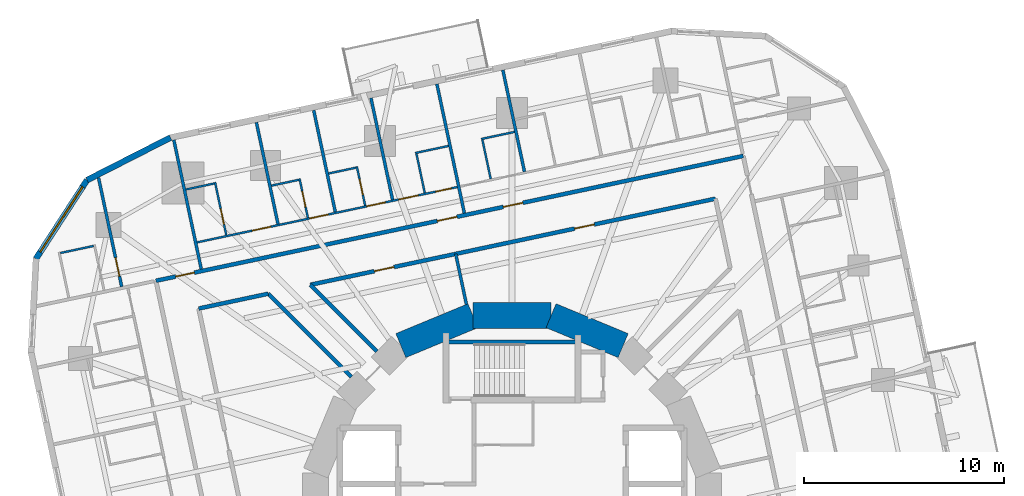
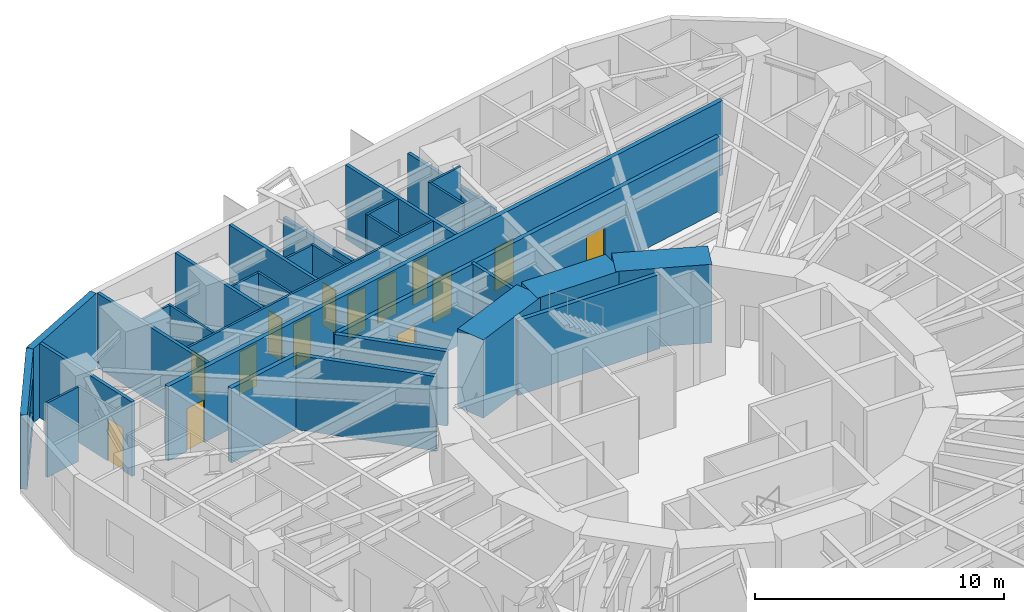
# One storey, part 10 of 14: 31 walls, 14 doors, 1 window, 15 openings.
"""IFC4 building model written with IfcOpenShell, lengths in metres."""

from ifc_helpers import new_model, si_unit, direction, frame, frame_2d, origin, place, context, subcontext, project, spatial, rectangle, extrude, material, layer, layer_set, type_object, element, fill, save


model = new_model("IFC4")

# Units and contexts
model_context = context("Model", 3, precision=1e-05, world=origin(), true_north=direction((0.0, 1.0)))
body_context = subcontext(model_context, "Body", "Model", "MODEL_VIEW")
ifc_project = project(units=[si_unit("LENGTHUNIT", "METRE"), si_unit("AREAUNIT", "SQUARE_METRE"), si_unit("VOLUMEUNIT", "CUBIC_METRE"), si_unit("PLANEANGLEUNIT", "RADIAN"), si_unit("MASSUNIT", "GRAM", prefix="KILO")], contexts=[model_context])

# Site, building, storey
site_placement = place(None, origin())
site = spatial("IfcSite", under=ifc_project, at=site_placement, CompositionType="ELEMENT")
building_placement = place(site_placement, origin())
building = spatial("IfcBuilding", under=site, at=building_placement, Name="Nakasero Lantern House", CompositionType="ELEMENT")
storey_placement = place(building_placement, frame((0.0, 0.0, 105.0)))
storey = spatial("IfcBuildingStorey", under=building, at=storey_placement, Name="L25", CompositionType="ELEMENT", Elevation=105.0)

# Wall, openings, doors
ifc_material_1 = material(Name="Blockwork", Category="masonry")
ifc_layer_1 = layer(ifc_material_1, 0.10009765625)
ifc_layer_set_1 = layer_set([ifc_layer_1], Name="Cluster hall wall 100")
wall_type_1 = type_object("IfcWallType", Name="Cluster hall wall 100", PredefinedType="PARTITIONING", material=ifc_layer_set_1)
wall_1_placement = place(storey_placement, frame((-2.734375, 16.236328125, 0.0), z_axis=(0.0, 0.0, 1.0), x_axis=(-0.978145215443, -0.207922912411, 0.0)))
wall_1 = element("IfcWall", 1, at=wall_1_placement, inside=storey, type_object=wall_type_1, Name="Cluster hall wall L25 HW1-1", PredefinedType="PARTITIONING", context=body_context, shape_type="SweptSolid", body=[
    extrude(rectangle(XDim=13.28955078125, YDim=0.10009765625, at=frame_2d((6.644775390625, 0.0))), origin(), (0.0, 0.0, 1.0), 3.64990234375),
])
opening_1_placement = place(wall_1_placement, frame((1.99365234375, 0.0, 0.0)))
opening_1 = element("IfcOpeningElement", 2, at=opening_1_placement, cuts=wall_1, Name="Opening D03", PredefinedType="OPENING", context=body_context, shape_type="SweptSolid", body=[
    extrude(rectangle(XDim=1.0, YDim=2.10009765625, at=frame_2d((0.5, 1.050048828125))), frame((0.0, 0.070068359375, 0.0), z_axis=(0.0, -1.0, 0.0), x_axis=(1.0, 0.0, 0.0)), (0.0, 0.0, 1.0), 0.14013671875),
])
opening_2_placement = place(wall_1_placement, frame((0.300048828125, 0.0, 0.0)))
opening_2 = element("IfcOpeningElement", 3, at=opening_2_placement, cuts=wall_1, Name="Opening D02", PredefinedType="OPENING", context=body_context, shape_type="SweptSolid", body=[
    extrude(rectangle(XDim=0.800048828125, YDim=2.10009765625, at=frame_2d((0.39990234375, 1.050048828125))), frame((0.0, 0.070068359375, 0.0), z_axis=(0.0, -1.0, 0.0), x_axis=(1.0, 0.0, 0.0)), (0.0, 0.0, 1.0), 0.14013671875),
])
opening_3_placement = place(wall_1_placement, frame((3.668701171875, 0.0, 0.0)))
opening_3 = element("IfcOpeningElement", 4, at=opening_3_placement, cuts=wall_1, Name="Opening D01", PredefinedType="OPENING", context=body_context, shape_type="SweptSolid", body=[
    extrude(rectangle(XDim=0.949951171875, YDim=2.10009765625, at=frame_2d((0.47509765625, 1.050048828125))), frame((0.0, 0.070068359375, 0.0), z_axis=(0.0, -1.0, 0.0), x_axis=(1.0, 0.0, 0.0)), (0.0, 0.0, 1.0), 0.14013671875),
])
opening_4_placement = place(wall_1_placement, frame((6.594970703125, 0.0, 0.0)))
opening_4 = element("IfcOpeningElement", 5, at=opening_4_placement, cuts=wall_1, Name="Opening D01", PredefinedType="OPENING", context=body_context, shape_type="SweptSolid", body=[
    extrude(rectangle(XDim=0.949951171875, YDim=2.10009765625, at=frame_2d((0.47509765625, 1.050048828125))), frame((0.0, 0.070068359375, 0.0), z_axis=(0.0, -1.0, 0.0), x_axis=(1.0, 0.0, 0.0)), (0.0, 0.0, 1.0), 0.14013671875),
])
opening_5_placement = place(wall_1_placement, frame((9.521484375, 0.0, 0.0)))
opening_5 = element("IfcOpeningElement", 6, at=opening_5_placement, cuts=wall_1, Name="Opening D01", PredefinedType="OPENING", context=body_context, shape_type="SweptSolid", body=[
    extrude(rectangle(XDim=0.949951171875, YDim=2.10009765625, at=frame_2d((0.47509765625, 1.050048828125))), frame((0.0, 0.070068359375, 0.0), z_axis=(0.0, -1.0, 0.0), x_axis=(1.0, 0.0, 0.0)), (0.0, 0.0, 1.0), 0.14013671875),
])
ifc_material_2 = material(Name="Timber C24", Category="wood")
door_type_1 = type_object("IfcDoorType", Name="Bedroom door FD30S 950", OperationType="SINGLE_SWING_LEFT", PredefinedType="DOOR", material=ifc_material_2)
door_1_placement = place(opening_3_placement, origin())
door_1 = element("IfcDoor", 7, at=door_1_placement, inside=storey, type_object=door_type_1, Name="Door L25 D1-05", OperationType="SINGLE_SWING_LEFT", OverallHeight=2.10009765625, OverallWidth=0.949951171875, PredefinedType="DOOR", context=body_context, shape_type="SweptSolid", body=[
    extrude(rectangle(XDim=0.949951171875, YDim=2.10009765625, at=frame_2d((0.47509765625, 1.050048828125))), frame((0.0, 0.02490234375, 0.0), z_axis=(0.0, -1.0, 0.0), x_axis=(1.0, 0.0, 0.0)), (0.0, 0.0, 1.0), 0.050048828125),
])
fill(opening_3, door_1)
door_2_placement = place(opening_4_placement, origin())
door_2 = element("IfcDoor", 8, at=door_2_placement, inside=storey, type_object=door_type_1, Name="Door L25 D1-06", OperationType="SINGLE_SWING_RIGHT", OverallHeight=2.10009765625, OverallWidth=0.949951171875, PredefinedType="DOOR", context=body_context, shape_type="SweptSolid", body=[
    extrude(rectangle(XDim=0.949951171875, YDim=2.10009765625, at=frame_2d((0.47509765625, 1.050048828125))), frame((0.0, 0.02490234375, 0.0), z_axis=(0.0, -1.0, 0.0), x_axis=(1.0, 0.0, 0.0)), (0.0, 0.0, 1.0), 0.050048828125),
])
fill(opening_4, door_2)
door_3_placement = place(opening_5_placement, origin())
door_3 = element("IfcDoor", 9, at=door_3_placement, inside=storey, type_object=door_type_1, Name="Door L25 D1-07", OperationType="SINGLE_SWING_RIGHT", OverallHeight=2.10009765625, OverallWidth=0.949951171875, PredefinedType="DOOR", context=body_context, shape_type="SweptSolid", body=[
    extrude(rectangle(XDim=0.949951171875, YDim=2.10009765625, at=frame_2d((0.47509765625, 1.050048828125))), frame((0.0, 0.02490234375, 0.0), z_axis=(0.0, -1.0, 0.0), x_axis=(1.0, 0.0, 0.0)), (0.0, 0.0, 1.0), 0.050048828125),
])
fill(opening_5, door_3)
ifc_material_3 = material(Name="Timber C24", Category="wood")
door_type_2 = type_object("IfcDoorType", Name="En-suite door 800", OperationType="SINGLE_SWING_RIGHT", PredefinedType="DOOR", material=ifc_material_3)
door_4_placement = place(opening_2_placement, origin())
door_4 = element("IfcDoor", 10, at=door_4_placement, inside=storey, type_object=door_type_2, Name="Door L25 DSH1-1", OperationType="SINGLE_SWING_LEFT", OverallHeight=2.10009765625, OverallWidth=0.800048828125, PredefinedType="DOOR", context=body_context, shape_type="SweptSolid", body=[
    extrude(rectangle(XDim=0.800048828125, YDim=2.10009765625, at=frame_2d((0.39990234375, 1.050048828125))), frame((0.0, 0.02490234375, 0.0), z_axis=(0.0, -1.0, 0.0), x_axis=(1.0, 0.0, 0.0)), (0.0, 0.0, 1.0), 0.050048828125),
])
fill(opening_2, door_4)
ifc_material_4 = material(Name="Timber C24", Category="wood")
door_type_3 = type_object("IfcDoorType", Name="Lounge door FD30S 1000", OperationType="SINGLE_SWING_LEFT", PredefinedType="DOOR", material=ifc_material_4)
door_5_placement = place(opening_1_placement, origin())
door_5 = element("IfcDoor", 11, at=door_5_placement, inside=storey, type_object=door_type_3, Name="Door L25 DH1-1", OperationType="SINGLE_SWING_LEFT", OverallHeight=2.10009765625, OverallWidth=1.0, PredefinedType="DOOR", context=body_context, shape_type="SweptSolid", body=[
    extrude(rectangle(XDim=1.0, YDim=2.10009765625, at=frame_2d((0.5, 1.050048828125))), frame((0.0, 0.02490234375, 0.0), z_axis=(0.0, -1.0, 0.0), x_axis=(1.0, 0.0, 0.0)), (0.0, 0.0, 1.0), 0.050048828125),
])
fill(opening_1, door_5)

# Walls
ifc_material_5 = material(Name="Concrete C50/60", Category="concrete")
ifc_layer_2 = layer(ifc_material_5, 1.300048828125)
ifc_layer_set_2 = layer_set([ifc_layer_2], Name="Core wall 1300")
wall_type_2 = type_object("IfcWallType", Name="Core wall 1300", PredefinedType="SHEAR", material=ifc_layer_set_2)
for number, where, z_axis, x_axis, name in (
    (12, (5.5556640625, 8.314697265625, 0.0), (0.0, 0.0, 1.0), (-0.923876507187, 0.382690736062, 0.0), "Core wall L25 facet 3"),
    (13, (1.950927734375, 9.807861328125, 0.0), (0.0, 0.0, 1.0), (-1.0, 0.0, 0.0), "Core wall L25 facet 4"),
    (14, (-1.950927734375, 9.807861328125, 0.0), (0.0, 0.0, 1.0), (-0.923876507187, -0.382690736062, 0.0), "Core wall L25 facet 5"),
):
    element("IfcWall", number, at=place(storey_placement, frame(where, z_axis=z_axis, x_axis=x_axis)), inside=storey, type_object=wall_type_2, Name=name, PredefinedType="SHEAR", context=body_context, shape_type="SweptSolid", body=[
        extrude(rectangle(XDim=3.90185546875, YDim=1.300048828125, at=frame_2d((1.950927734375, 0.0))), origin(), (0.0, 0.0, 1.0), 3.85009765625),
    ])

# Wall, openings, doors
ifc_material_6 = material(Name="Blockwork", Category="masonry")
ifc_layer_3 = layer(ifc_material_6, 0.199951171875)
ifc_layer_set_3 = layer_set([ifc_layer_3], Name="Corridor wall 200")
wall_type_3 = type_object("IfcWallType", Name="Corridor wall 200", PredefinedType="PARTITIONING", material=ifc_layer_set_3)
wall_2_placement = place(storey_placement, frame((11.553466796875, 17.790771484375, 0.0), z_axis=(0.0, 0.0, 1.0), x_axis=(-0.978147639417, -0.207911508826, 0.0)))
wall_2 = element("IfcWall", 15, at=wall_2_placement, inside=storey, type_object=wall_type_3, Name="Corridor wall L25 CW1", PredefinedType="PARTITIONING", context=body_context, shape_type="SweptSolid", body=[
    extrude(rectangle(XDim=29.999755859375, YDim=0.199951171875, at=frame_2d((15.0, 0.0))), origin(), (0.0, 0.0, 1.0), 3.64990234375),
])
opening_6_placement = place(wall_2_placement, frame((11.255126953125, 0.0, 0.0)))
opening_6 = element("IfcOpeningElement", 16, at=opening_6_placement, cuts=wall_2, Name="Opening D14", PredefinedType="OPENING", context=body_context, shape_type="SweptSolid", body=[
    extrude(rectangle(XDim=1.0, YDim=2.10009765625, at=frame_2d((0.5, 1.050048828125))), frame((0.0, 0.119873046875, 0.0), z_axis=(0.0, -1.0, 0.0), x_axis=(1.0, 0.0, 0.0)), (0.0, 0.0, 1.0), 0.239990234375),
])
opening_7_placement = place(wall_2_placement, frame((14.623779296875, 0.0, 0.0)))
opening_7 = element("IfcOpeningElement", 17, at=opening_7_placement, cuts=wall_2, Name="Opening D14", PredefinedType="OPENING", context=body_context, shape_type="SweptSolid", body=[
    extrude(rectangle(XDim=1.0, YDim=2.10009765625, at=frame_2d((0.5, 1.050048828125))), frame((0.0, 0.119873046875, 0.0), z_axis=(0.0, -1.0, 0.0), x_axis=(1.0, 0.0, 0.0)), (0.0, 0.0, 1.0), 0.239990234375),
])
opening_8_placement = place(wall_2_placement, frame((28.038330078125, 0.0, 0.0)))
opening_8 = element("IfcOpeningElement", 18, at=opening_8_placement, cuts=wall_2, Name="Opening D01", PredefinedType="OPENING", context=body_context, shape_type="SweptSolid", body=[
    extrude(rectangle(XDim=0.949951171875, YDim=2.10009765625, at=frame_2d((0.47509765625, 1.050048828125))), frame((0.0, 0.119873046875, 0.0), z_axis=(0.0, -1.0, 0.0), x_axis=(1.0, 0.0, 0.0)), (0.0, 0.0, 1.0), 0.239990234375),
])
door_6_placement = place(opening_8_placement, origin())
door_6 = element("IfcDoor", 19, at=door_6_placement, inside=storey, type_object=door_type_1, Name="Door L25 D1-08", OperationType="SINGLE_SWING_RIGHT", OverallHeight=2.10009765625, OverallWidth=0.949951171875, PredefinedType="DOOR", context=body_context, shape_type="SweptSolid", body=[
    extrude(rectangle(XDim=0.949951171875, YDim=2.10009765625, at=frame_2d((0.47509765625, 1.050048828125))), frame((0.0, 0.02490234375, 0.0), z_axis=(0.0, -1.0, 0.0), x_axis=(1.0, 0.0, 0.0)), (0.0, 0.0, 1.0), 0.050048828125),
])
fill(opening_8, door_6)
ifc_material_7 = material(Name="Timber C24", Category="wood")
door_type_4 = type_object("IfcDoorType", Name="Cluster entrance door FD30S 1000", OperationType="SINGLE_SWING_LEFT", PredefinedType="DOOR", material=ifc_material_7)
door_7_placement = place(opening_6_placement, origin())
door_7 = element("IfcDoor", 20, at=door_7_placement, inside=storey, type_object=door_type_4, Name="Door L25 DF1-0", OperationType="SINGLE_SWING_LEFT", OverallHeight=2.10009765625, OverallWidth=1.0, PredefinedType="DOOR", context=body_context, shape_type="SweptSolid", body=[
    extrude(rectangle(XDim=1.0, YDim=2.10009765625, at=frame_2d((0.5, 1.050048828125))), frame((0.0, 0.02490234375, 0.0), z_axis=(0.0, -1.0, 0.0), x_axis=(1.0, 0.0, 0.0)), (0.0, 0.0, 1.0), 0.050048828125),
])
fill(opening_6, door_7)
door_8_placement = place(opening_7_placement, origin())
door_8 = element("IfcDoor", 21, at=door_8_placement, inside=storey, type_object=door_type_4, Name="Door L25 DF1-1", OperationType="SINGLE_SWING_RIGHT", OverallHeight=2.10009765625, OverallWidth=1.0, PredefinedType="DOOR", context=body_context, shape_type="SweptSolid", body=[
    extrude(rectangle(XDim=1.0, YDim=2.10009765625, at=frame_2d((0.5, 1.050048828125))), frame((0.0, 0.02490234375, 0.0), z_axis=(0.0, -1.0, 0.0), x_axis=(1.0, 0.0, 0.0)), (0.0, 0.0, 1.0), 0.050048828125),
])
fill(opening_7, door_8)

wall_3_placement = place(storey_placement, frame((10.1669921875, 15.656005859375, 0.0), z_axis=(0.0, 0.0, 1.0), x_axis=(-0.978145959178, -0.207919413582, 0.0)))
wall_3 = element("IfcWall", 22, at=wall_3_placement, inside=storey, type_object=wall_type_3, Name="Corridor wall L25 IW1-0", PredefinedType="PARTITIONING", context=body_context, shape_type="SweptSolid", body=[
    extrude(rectangle(XDim=20.698974609375, YDim=0.199951171875, at=frame_2d((10.349609375, 0.0))), origin(), (0.0, 0.0, 1.0), 3.64990234375),
])
opening_9_placement = place(wall_3_placement, frame((6.197509765625, 0.0, 0.0)))
opening_9 = element("IfcOpeningElement", 23, at=opening_9_placement, cuts=wall_3, Name="Opening D07", PredefinedType="OPENING", context=body_context, shape_type="SweptSolid", body=[
    extrude(rectangle(XDim=1.0, YDim=2.10009765625, at=frame_2d((0.5, 1.050048828125))), frame((0.0, 0.119873046875, 0.0), z_axis=(0.0, -1.0, 0.0), x_axis=(1.0, 0.0, 0.0)), (0.0, 0.0, 1.0), 0.239990234375),
])
opening_10_placement = place(wall_3_placement, frame((16.422119140625, 0.0, 0.0)))
opening_10 = element("IfcOpeningElement", 24, at=opening_10_placement, cuts=wall_3, Name="Opening D07", PredefinedType="OPENING", context=body_context, shape_type="SweptSolid", body=[
    extrude(rectangle(XDim=1.0, YDim=2.10009765625, at=frame_2d((0.5, 1.050048828125))), frame((0.0, 0.119873046875, 0.0), z_axis=(0.0, -1.0, 0.0), x_axis=(1.0, 0.0, 0.0)), (0.0, 0.0, 1.0), 0.239990234375),
])
ifc_material_8 = material(Name="Timber C24", Category="wood")
door_type_5 = type_object("IfcDoorType", Name="Room door FD30S 1000", OperationType="SINGLE_SWING_LEFT", PredefinedType="DOOR", material=ifc_material_8)
door_9_placement = place(opening_9_placement, origin())
door_9 = element("IfcDoor", 25, at=door_9_placement, inside=storey, type_object=door_type_5, Name="Door L25 DI5", OperationType="SINGLE_SWING_LEFT", OverallHeight=2.10009765625, OverallWidth=1.0, PredefinedType="DOOR", context=body_context, shape_type="SweptSolid", body=[
    extrude(rectangle(XDim=1.0, YDim=2.10009765625, at=frame_2d((0.5, 1.050048828125))), frame((0.0, 0.02490234375, 0.0), z_axis=(0.0, -1.0, 0.0), x_axis=(1.0, 0.0, 0.0)), (0.0, 0.0, 1.0), 0.050048828125),
])
fill(opening_9, door_9)
door_10_placement = place(opening_10_placement, origin())
door_10 = element("IfcDoor", 26, at=door_10_placement, inside=storey, type_object=door_type_5, Name="Door L25 DI6", OperationType="SINGLE_SWING_RIGHT", OverallHeight=2.10009765625, OverallWidth=1.0, PredefinedType="DOOR", context=body_context, shape_type="SweptSolid", body=[
    extrude(rectangle(XDim=1.0, YDim=2.10009765625, at=frame_2d((0.5, 1.050048828125))), frame((0.0, 0.02490234375, 0.0), z_axis=(0.0, -1.0, 0.0), x_axis=(1.0, 0.0, 0.0)), (0.0, 0.0, 1.0), 0.050048828125),
])
fill(opening_10, door_10)

# Walls
wall_4_placement = place(storey_placement, frame((-12.178955078125, 10.90625, 0.0), z_axis=(0.0, 0.0, 1.0), x_axis=(-0.978136852319, -0.207962251708, 0.0)))
element("IfcWall", 27, at=wall_4_placement, inside=storey, type_object=wall_type_3, Name="Corridor wall L25 IW1-1", PredefinedType="PARTITIONING", context=body_context, shape_type="SweptSolid", body=[
    extrude(rectangle(XDim=3.5546875, YDim=0.199951171875, at=frame_2d((1.77734375, 0.0))), origin(), (0.0, 0.0, 1.0), 3.64990234375),
])
wall_5_placement = place(storey_placement, frame((-8.03125, 6.758544921875, 0.0), z_axis=(0.0, 0.0, 1.0), x_axis=(-0.707106781187, 0.707106781187, 0.0)))
element("IfcWall", 28, at=wall_5_placement, inside=storey, type_object=wall_type_3, Name="Corridor wall L25 PS06a", PredefinedType="PARTITIONING", context=body_context, shape_type="SweptSolid", body=[
    extrude(rectangle(XDim=5.86572265625, YDim=0.199951171875, at=frame_2d((2.932861328125, 0.0))), origin(), (0.0, 0.0, 1.0), 3.64990234375),
])
wall_6_placement = place(storey_placement, frame((-6.758544921875, 8.03125, 0.0), z_axis=(0.0, 0.0, 1.0), x_axis=(-0.707106781187, 0.707106781187, 0.0)))
element("IfcWall", 29, at=wall_6_placement, inside=storey, type_object=wall_type_3, Name="Corridor wall L25 PS06b", PredefinedType="PARTITIONING", context=body_context, shape_type="SweptSolid", body=[
    extrude(rectangle(XDim=4.69677734375, YDim=0.199951171875, at=frame_2d((2.348388671875, 0.0))), origin(), (0.0, 0.0, 1.0), 3.64990234375),
])
ifc_material_9 = material(Name="Blockwork", Category="masonry")
ifc_layer_4 = layer(ifc_material_9, 0.10009765625)
ifc_layer_set_4 = layer_set([ifc_layer_4], Name="En-suite wall 100")
wall_type_4 = type_object("IfcWallType", Name="En-suite wall 100", PredefinedType="PARTITIONING", material=ifc_layer_set_4)
wall_7_placement = place(storey_placement, frame((-1.0634765625, 16.642578125, 0.0), z_axis=(0.0, 0.0, 1.0), x_axis=(-0.207972763311, 0.978134617382, 0.0)))
element("IfcWall", 30, at=wall_7_placement, inside=storey, type_object=wall_type_4, Name="En-suite wall L25 SS1-0", PredefinedType="PARTITIONING", context=body_context, shape_type="SweptSolid", body=[
    extrude(rectangle(XDim=2.10009765625, YDim=0.10009765625, at=frame_2d((1.050048828125, 0.0))), origin(), (0.0, 0.0, 1.0), 3.64990234375),
])
wall_8_placement = place(storey_placement, frame((0.124267578125, 18.99072265625, 0.0), z_axis=(0.0, 0.0, 1.0), x_axis=(-0.978168704767, -0.207812379357, 0.0)))
element("IfcWall", 31, at=wall_8_placement, inside=storey, type_object=wall_type_4, Name="En-suite wall L25 SE1-0", PredefinedType="PARTITIONING", context=body_context, shape_type="SweptSolid", body=[
    extrude(rectangle(XDim=1.699951171875, YDim=0.10009765625, at=frame_2d((0.85009765625, 0.0))), origin(), (0.0, 0.0, 1.0), 3.64990234375),
])
wall_9_placement = place(storey_placement, frame((-4.358642578125, 15.942138671875, 0.0), z_axis=(0.0, 0.0, 1.0), x_axis=(-0.207861536591, 0.97815826, 0.0)))
element("IfcWall", 32, at=wall_9_placement, inside=storey, type_object=wall_type_4, Name="En-suite wall L25 SS1-1", PredefinedType="PARTITIONING", context=body_context, shape_type="SweptSolid", body=[
    extrude(rectangle(XDim=2.10009765625, YDim=0.10009765625, at=frame_2d((1.050048828125, 0.0))), origin(), (0.0, 0.0, 1.0), 3.64990234375),
])
wall_10_placement = place(storey_placement, frame((-3.1708984375, 18.29052734375, 0.0), z_axis=(0.0, 0.0, 1.0), x_axis=(-0.97813950236, -0.207949787024, 0.0)))
element("IfcWall", 33, at=wall_10_placement, inside=storey, type_object=wall_type_4, Name="En-suite wall L25 SE1-1", PredefinedType="PARTITIONING", context=body_context, shape_type="SweptSolid", body=[
    extrude(rectangle(XDim=1.699951171875, YDim=0.10009765625, at=frame_2d((0.85009765625, 0.0))), origin(), (0.0, 0.0, 1.0), 3.64990234375),
])

# Wall, opening, door
wall_11_placement = place(storey_placement, frame((-7.337158203125, 15.30908203125, 0.0), z_axis=(0.0, 0.0, 1.0), x_axis=(-0.207886494942, 0.978152955943, 0.0)))
wall_11 = element("IfcWall", 34, at=wall_11_placement, inside=storey, type_object=wall_type_4, Name="En-suite wall L25 ES1-05", PredefinedType="PARTITIONING", context=body_context, shape_type="SweptSolid", body=[
    extrude(rectangle(XDim=2.0, YDim=0.10009765625, at=frame_2d((1.0, 0.0))), origin(), (0.0, 0.0, 1.0), 3.64990234375),
])
opening_11_placement = place(wall_11_placement, frame((0.550048828125, 0.0, 0.0)))
opening_11 = element("IfcOpeningElement", 35, at=opening_11_placement, cuts=wall_11, Name="Opening D02", PredefinedType="OPENING", context=body_context, shape_type="SweptSolid", body=[
    extrude(rectangle(XDim=0.800048828125, YDim=2.10009765625, at=frame_2d((0.39990234375, 1.050048828125))), frame((0.0, 0.070068359375, 0.0), z_axis=(0.0, -1.0, 0.0), x_axis=(1.0, 0.0, 0.0)), (0.0, 0.0, 1.0), 0.14013671875),
])
door_11_placement = place(opening_11_placement, origin())
door_11 = element("IfcDoor", 36, at=door_11_placement, inside=storey, type_object=door_type_2, Name="Door L25 DE1-05", OperationType="SINGLE_SWING_LEFT", OverallHeight=2.10009765625, OverallWidth=0.800048828125, PredefinedType="DOOR", context=body_context, shape_type="SweptSolid", body=[
    extrude(rectangle(XDim=0.800048828125, YDim=2.10009765625, at=frame_2d((0.39990234375, 1.050048828125))), frame((0.0, 0.02490234375, 0.0), z_axis=(0.0, -1.0, 0.0), x_axis=(1.0, 0.0, 0.0)), (0.0, 0.0, 1.0), 0.050048828125),
])
fill(opening_11, door_11)

# Wall
wall_12_placement = place(storey_placement, frame((-7.79150390625, 17.2060546875, 0.0), z_axis=(0.0, 0.0, 1.0), x_axis=(-0.978155748334, -0.207873355681, 0.0)))
element("IfcWall", 37, at=wall_12_placement, inside=storey, type_object=wall_type_4, Name="En-suite wall L25 EE1-05", PredefinedType="PARTITIONING", context=body_context, shape_type="SweptSolid", body=[
    extrude(rectangle(XDim=1.39990234375, YDim=0.10009765625, at=frame_2d((0.699951171875, 0.0))), origin(), (0.0, 0.0, 1.0), 3.64990234375),
])

# Wall, opening, door
wall_13_placement = place(storey_placement, frame((-10.19970703125, 14.70068359375, 0.0), z_axis=(0.0, 0.0, 1.0), x_axis=(-0.207886494942, 0.978152955943, 0.0)))
wall_13 = element("IfcWall", 38, at=wall_13_placement, inside=storey, type_object=wall_type_4, Name="En-suite wall L25 ES1-06", PredefinedType="PARTITIONING", context=body_context, shape_type="SweptSolid", body=[
    extrude(rectangle(XDim=2.0, YDim=0.10009765625, at=frame_2d((1.0, 0.0))), origin(), (0.0, 0.0, 1.0), 3.64990234375),
])
opening_12_placement = place(wall_13_placement, frame((0.550048828125, 0.0, 0.0)))
opening_12 = element("IfcOpeningElement", 39, at=opening_12_placement, cuts=wall_13, Name="Opening D02", PredefinedType="OPENING", context=body_context, shape_type="SweptSolid", body=[
    extrude(rectangle(XDim=0.800048828125, YDim=2.10009765625, at=frame_2d((0.39990234375, 1.050048828125))), frame((0.0, 0.070068359375, 0.0), z_axis=(0.0, -1.0, 0.0), x_axis=(1.0, 0.0, 0.0)), (0.0, 0.0, 1.0), 0.14013671875),
])
door_12_placement = place(opening_12_placement, origin())
door_12 = element("IfcDoor", 40, at=door_12_placement, inside=storey, type_object=door_type_2, Name="Door L25 DE1-06", OperationType="SINGLE_SWING_LEFT", OverallHeight=2.10009765625, OverallWidth=0.800048828125, PredefinedType="DOOR", context=body_context, shape_type="SweptSolid", body=[
    extrude(rectangle(XDim=0.800048828125, YDim=2.10009765625, at=frame_2d((0.39990234375, 1.050048828125))), frame((0.0, 0.02490234375, 0.0), z_axis=(0.0, -1.0, 0.0), x_axis=(1.0, 0.0, 0.0)), (0.0, 0.0, 1.0), 0.050048828125),
])
fill(opening_12, door_12)

# Wall
wall_14_placement = place(storey_placement, frame((-10.654052734375, 16.59765625, 0.0), z_axis=(0.0, 0.0, 1.0), x_axis=(-0.978155748334, -0.207873355681, 0.0)))
element("IfcWall", 41, at=wall_14_placement, inside=storey, type_object=wall_type_4, Name="En-suite wall L25 EE1-06", PredefinedType="PARTITIONING", context=body_context, shape_type="SweptSolid", body=[
    extrude(rectangle(XDim=1.39990234375, YDim=0.10009765625, at=frame_2d((0.699951171875, 0.0))), origin(), (0.0, 0.0, 1.0), 3.64990234375),
])

# Wall, opening, door
wall_15_placement = place(storey_placement, frame((-14.276611328125, 13.833984375, 0.0), z_axis=(0.0, 0.0, 1.0), x_axis=(-0.207960405185, 0.978137244908, 0.0)))
wall_15 = element("IfcWall", 42, at=wall_15_placement, inside=storey, type_object=wall_type_4, Name="En-suite wall L25 ES1-07", PredefinedType="PARTITIONING", context=body_context, shape_type="SweptSolid", body=[
    extrude(rectangle(XDim=2.7001953125, YDim=0.10009765625, at=frame_2d((1.35009765625, 0.0))), origin(), (0.0, 0.0, 1.0), 3.64990234375),
])
opening_13_placement = place(wall_15_placement, frame((0.550048828125, 0.0, 0.0)))
opening_13 = element("IfcOpeningElement", 43, at=opening_13_placement, cuts=wall_15, Name="Opening D02", PredefinedType="OPENING", context=body_context, shape_type="SweptSolid", body=[
    extrude(rectangle(XDim=0.800048828125, YDim=2.10009765625, at=frame_2d((0.39990234375, 1.050048828125))), frame((0.0, 0.070068359375, 0.0), z_axis=(0.0, -1.0, 0.0), x_axis=(1.0, 0.0, 0.0)), (0.0, 0.0, 1.0), 0.14013671875),
])
door_13_placement = place(opening_13_placement, origin())
door_13 = element("IfcDoor", 44, at=door_13_placement, inside=storey, type_object=door_type_2, Name="Door L25 DE1-07", OperationType="SINGLE_SWING_LEFT", OverallHeight=2.10009765625, OverallWidth=0.800048828125, PredefinedType="DOOR", context=body_context, shape_type="SweptSolid", body=[
    extrude(rectangle(XDim=0.800048828125, YDim=2.10009765625, at=frame_2d((0.39990234375, 1.050048828125))), frame((0.0, 0.02490234375, 0.0), z_axis=(0.0, -1.0, 0.0), x_axis=(1.0, 0.0, 0.0)), (0.0, 0.0, 1.0), 0.050048828125),
])
fill(opening_13, door_13)

# Walls
wall_16_placement = place(storey_placement, frame((-14.87646484375, 16.415771484375, 0.0), z_axis=(0.0, 0.0, 1.0), x_axis=(-0.978146012851, -0.207919161079, 0.0)))
element("IfcWall", 45, at=wall_16_placement, inside=storey, type_object=wall_type_4, Name="En-suite wall L25 EE1-07", PredefinedType="PARTITIONING", context=body_context, shape_type="SweptSolid", body=[
    extrude(rectangle(XDim=1.4501953125, YDim=0.10009765625, at=frame_2d((0.72509765625, 0.0))), origin(), (0.0, 0.0, 1.0), 3.64990234375),
])
wall_17_placement = place(storey_placement, frame((-20.906494140625, 13.293701171875, 0.0), z_axis=(0.0, 0.0, 1.0), x_axis=(-0.978168704767, -0.207812379357, 0.0)))
element("IfcWall", 46, at=wall_17_placement, inside=storey, type_object=wall_type_4, Name="En-suite wall L25 EE1-08", PredefinedType="PARTITIONING", context=body_context, shape_type="SweptSolid", body=[
    extrude(rectangle(XDim=1.699951171875, YDim=0.10009765625, at=frame_2d((0.85009765625, 0.0))), origin(), (0.0, 0.0, 1.0), 3.64990234375),
])
ifc_material_10 = material(Name="Aluminium rainscreen on blockwork", Category="masonry")
ifc_layer_5 = layer(ifc_material_10, 0.300048828125)
ifc_layer_set_5 = layer_set([ifc_layer_5], Name="Facade wall 300")
wall_type_5 = type_object("IfcWallType", Name="Facade wall 300", PredefinedType="SOLIDWALL", material=ifc_layer_set_5)
wall_18_placement = place(storey_placement, frame((-17.063232421875, 18.711181640625, 0.0), z_axis=(0.0, 0.0, 1.0), x_axis=(-0.89101404178, -0.453975745332, 0.0)))
element("IfcWall", 47, at=wall_18_placement, inside=storey, type_object=wall_type_5, Name="Facade wall L25 FW1C1", PredefinedType="SOLIDWALL", context=body_context, shape_type="SweptSolid", body=[
    extrude(rectangle(XDim=4.6845703125, YDim=0.300048828125, at=frame_2d((2.34228515625, 0.0))), origin(), (0.0, 0.0, 1.0), 3.64990234375),
])

# Wall, opening, window
wall_19_placement = place(storey_placement, frame((-21.2373046875, 16.58447265625, 0.0), z_axis=(0.0, 0.0, 1.0), x_axis=(-0.544605442853, -0.838692381994, 0.0)))
wall_19 = element("IfcWall", 48, at=wall_19_placement, inside=storey, type_object=wall_type_5, Name="Facade wall L25 FW1C2", PredefinedType="SOLIDWALL", context=body_context, shape_type="SweptSolid", body=[
    extrude(rectangle(XDim=4.6845703125, YDim=0.300048828125, at=frame_2d((2.34228515625, 0.0))), origin(), (0.0, 0.0, 1.0), 3.64990234375),
])
opening_14_placement = place(wall_19_placement, frame((0.39990234375, 0.0, 0.75)))
opening_14 = element("IfcOpeningElement", 49, at=opening_14_placement, cuts=wall_19, Name="Opening W238", PredefinedType="OPENING", context=body_context, shape_type="SweptSolid", body=[
    extrude(rectangle(XDim=3.885009765625, YDim=1.800048828125, at=frame_2d((1.9423828125, 0.89990234375))), frame((0.0, 0.169921875, 0.0), z_axis=(0.0, -1.0, 0.0), x_axis=(1.0, 0.0, 0.0)), (0.0, 0.0, 1.0), 0.340087890625),
])
ifc_material_11 = material(Name="Aluminium 6063-T6 and glass", Category="aluminium")
window_type = type_object("IfcWindowType", Name="Corner window 3885x1800", PartitioningType="SINGLE_PANEL", PredefinedType="WINDOW", material=ifc_material_11)
window_placement = place(opening_14_placement, origin())
window = element("IfcWindow", 50, at=window_placement, inside=storey, type_object=window_type, Name="Window L25 WC1", OverallHeight=1.800048828125, OverallWidth=3.885009765625, PartitioningType="SINGLE_PANEL", PredefinedType="WINDOW", context=body_context, shape_type="SweptSolid", body=[
    extrude(rectangle(XDim=3.885009765625, YDim=1.800048828125, at=frame_2d((1.9423828125, 0.89990234375))), frame((0.0, 0.030029296875, 0.0), z_axis=(0.0, -1.0, 0.0), x_axis=(1.0, 0.0, 0.0)), (0.0, 0.0, 1.0), 0.06005859375),
])
fill(opening_14, window)

# Walls
ifc_material_12 = material(Name="Blockwork", Category="masonry")
ifc_layer_6 = layer(ifc_material_12, 0.199951171875)
ifc_layer_set_6 = layer_set([ifc_layer_6], Name="Fire lobby wall 200")
wall_type_6 = type_object("IfcWallType", Name="Fire lobby wall 200", PredefinedType="PARTITIONING", material=ifc_layer_set_6)
wall_20_placement = place(storey_placement, frame((-3.300048828125, 8.5, 0.0), z_axis=(0.0, 0.0, 1.0), x_axis=(1.0, 0.0, 0.0)))
element("IfcWall", 51, at=wall_20_placement, inside=storey, type_object=wall_type_6, Name="Fire lobby wall L25 W-STN", PredefinedType="PARTITIONING", context=body_context, shape_type="SweptSolid", body=[
    extrude(rectangle(XDim=6.60009765625, YDim=0.199951171875, at=frame_2d((3.300048828125, 0.0))), origin(), (0.0, 0.0, 1.0), 3.64990234375),
])
ifc_material_13 = material(Name="Blockwork", Category="masonry")
ifc_layer_7 = layer(ifc_material_13, 0.14990234375)
ifc_layer_set_7 = layer_set([ifc_layer_7], Name="Party wall 150")
wall_type_7 = type_object("IfcWallType", Name="Party wall 150", PredefinedType="PARTITIONING", material=ifc_layer_set_7)
wall_21_placement = place(storey_placement, frame((0.623779296875, 17.001220703125, 0.0), z_axis=(0.0, 0.0, 1.0), x_axis=(-0.207938489641, 0.978141904084, 0.0)))
element("IfcWall", 52, at=wall_21_placement, inside=storey, type_object=wall_type_7, Name="Party wall L25 PW1-03", PredefinedType="PARTITIONING", context=body_context, shape_type="SweptSolid", body=[
    extrude(rectangle(XDim=5.2001953125, YDim=0.14990234375, at=frame_2d((2.60009765625, 0.0))), origin(), (0.0, 0.0, 1.0), 2.634033203125),
])
wall_22_placement = place(storey_placement, frame((-2.38037109375, 14.931396484375, 0.0), z_axis=(0.0, 0.0, 1.0), x_axis=(-0.207889281984, 0.97815236361, 0.0)))
element("IfcWall", 53, at=wall_22_placement, inside=storey, type_object=wall_type_7, Name="Party wall L25 PW1-04", PredefinedType="PARTITIONING", context=body_context, shape_type="SweptSolid", body=[
    extrude(rectangle(XDim=6.60009765625, YDim=0.14990234375, at=frame_2d((3.300048828125, 0.0))), origin(), (0.0, 0.0, 1.0), 3.64990234375),
])
wall_23_placement = place(storey_placement, frame((-5.966552734375, 15.600341796875, 0.0), z_axis=(0.0, 0.0, 1.0), x_axis=(-0.207893569688, 0.978151452323, 0.0)))
element("IfcWall", 54, at=wall_23_placement, inside=storey, type_object=wall_type_7, Name="Party wall L25 PW1-05", PredefinedType="PARTITIONING", context=body_context, shape_type="SweptSolid", body=[
    extrude(rectangle(XDim=5.199951171875, YDim=0.14990234375, at=frame_2d((2.60009765625, 0.0))), origin(), (0.0, 0.0, 1.0), 2.650146484375),
])
for number, where, z_axis, x_axis, name in (
    (55, (-8.828857421875, 14.991943359375, 0.0), (0.0, 0.0, 1.0), (-0.207893569688, 0.978151452323, 0.0), "Party wall L25 PW1-06"),
    (56, (-11.69140625, 14.383544921875, 0.0), (0.0, 0.0, 1.0), (-0.207893569688, 0.978151452323, 0.0), "Party wall L25 PW1-07"),
):
    element("IfcWall", number, at=place(storey_placement, frame(where, z_axis=z_axis, x_axis=x_axis)), inside=storey, type_object=wall_type_7, Name=name, PredefinedType="PARTITIONING", context=body_context, shape_type="SweptSolid", body=[
        extrude(rectangle(XDim=5.199951171875, YDim=0.14990234375, at=frame_2d((2.60009765625, 0.0))), origin(), (0.0, 0.0, 1.0), 3.64990234375),
    ])
wall_24_placement = place(storey_placement, frame((-15.526123046875, 12.13720703125, 0.0), z_axis=(0.0, 0.0, 1.0), x_axis=(-0.207924673876, 0.978144841009, 0.0)))
element("IfcWall", 57, at=wall_24_placement, inside=storey, type_object=wall_type_7, Name="Party wall L25 PW1-08", PredefinedType="PARTITIONING", context=body_context, shape_type="SweptSolid", body=[
    extrude(rectangle(XDim=6.60009765625, YDim=0.14990234375, at=frame_2d((3.300048828125, 0.0))), origin(), (0.0, 0.0, 1.0), 3.64990234375),
])

# Wall, opening, door
wall_25_placement = place(storey_placement, frame((-19.502197265625, 11.256103515625, 0.0), z_axis=(0.0, 0.0, 1.0), x_axis=(-0.207936339891, 0.978142361087, 0.0)))
wall_25 = element("IfcWall", 58, at=wall_25_placement, inside=storey, type_object=wall_type_7, Name="Party wall L25 PC1", PredefinedType="PARTITIONING", context=body_context, shape_type="SweptSolid", body=[
    extrude(rectangle(XDim=5.570068359375, YDim=0.14990234375, at=frame_2d((2.78515625, 0.0))), origin(), (0.0, 0.0, 1.0), 3.64990234375),
])
opening_15_placement = place(wall_25_placement, frame((0.534912109375, 0.0, 0.0)))
opening_15 = element("IfcOpeningElement", 59, at=opening_15_placement, cuts=wall_25, Name="Opening D01", PredefinedType="OPENING", context=body_context, shape_type="SweptSolid", body=[
    extrude(rectangle(XDim=0.949951171875, YDim=2.10009765625, at=frame_2d((0.47509765625, 1.050048828125))), frame((0.0, 0.094970703125, 0.0), z_axis=(0.0, -1.0, 0.0), x_axis=(1.0, 0.0, 0.0)), (0.0, 0.0, 1.0), 0.18994140625),
])
door_14_placement = place(opening_15_placement, origin())
door_14 = element("IfcDoor", 60, at=door_14_placement, inside=storey, type_object=door_type_1, Name="Door L25 DC1", OperationType="SINGLE_SWING_LEFT", OverallHeight=2.10009765625, OverallWidth=0.949951171875, PredefinedType="DOOR", context=body_context, shape_type="SweptSolid", body=[
    extrude(rectangle(XDim=0.949951171875, YDim=2.10009765625, at=frame_2d((0.47509765625, 1.050048828125))), frame((0.0, 0.02490234375, 0.0), z_axis=(0.0, -1.0, 0.0), x_axis=(1.0, 0.0, 0.0)), (0.0, 0.0, 1.0), 0.050048828125),
])
fill(opening_15, door_14)

# Wall
wall_26_placement = place(storey_placement, frame((-2.81298828125, 12.89697265625, 0.0), z_axis=(0.0, 0.0, 1.0), x_axis=(0.20794373203, -0.978140789615, 0.0)))
element("IfcWall", 61, at=wall_26_placement, inside=storey, type_object=wall_type_7, Name="Party wall L25 IM1", PredefinedType="PARTITIONING", context=body_context, shape_type="SweptSolid", body=[
    extrude(rectangle(XDim=2.5771484375, YDim=0.14990234375, at=frame_2d((1.28857421875, 0.0))), origin(), (0.0, 0.0, 1.0), 3.64990234375),
])

save(model, "model.ifc")
